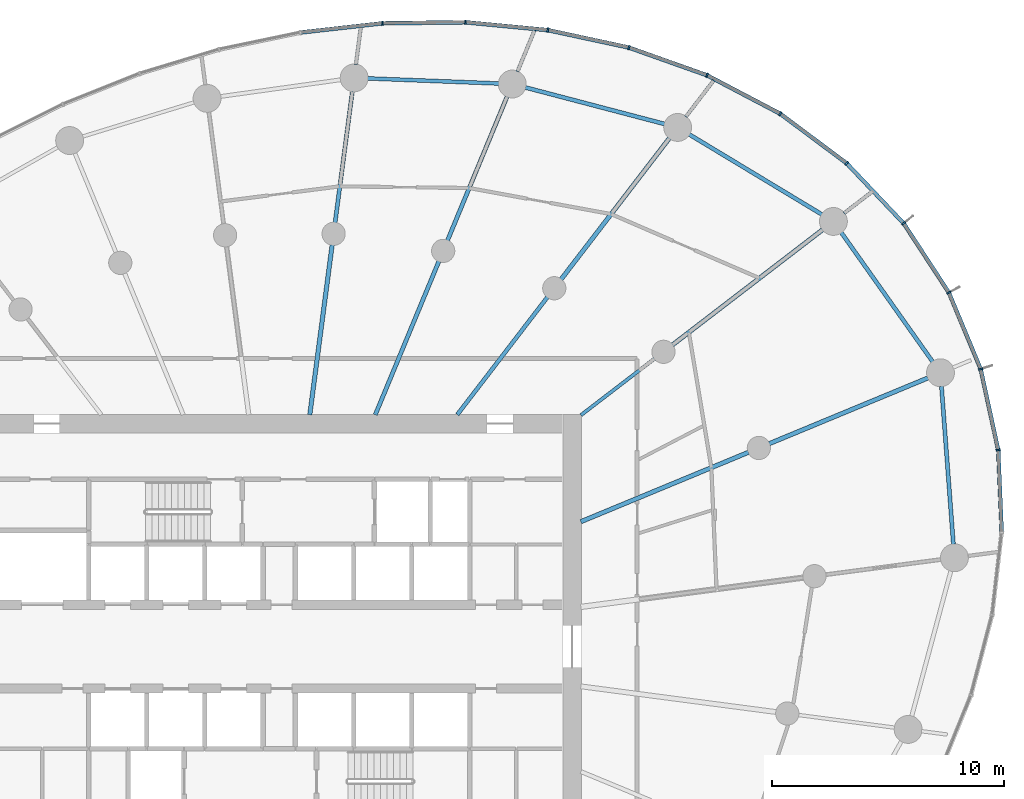
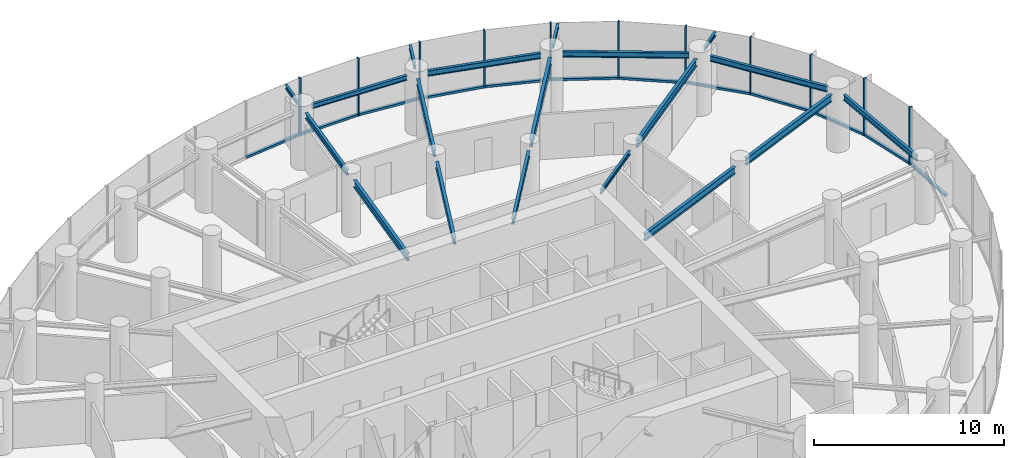
# One storey, part 7 of 17: 23 members, 19 beams, 3 elements without a shape of their own.
"""IFC4 building model written with IfcOpenShell, lengths in metres."""

from ifc_helpers import new_model, si_unit, direction, frame, origin, origin_2d, place, context, subcontext, project, spatial, rectangle, i_section, extrude, source, transform, mapped, material, layer, layer_set, material_profile, profile_set, type_object, element, aggregate, save


model = new_model("IFC4")

# Units and contexts
model_context = context("Model", 3, precision=1e-05, world=origin(), true_north=direction((0.0, 1.0)))
body_context = subcontext(model_context, "Body", "Model", "MODEL_VIEW")
ifc_project = project(units=[si_unit("LENGTHUNIT", "METRE"), si_unit("AREAUNIT", "SQUARE_METRE"), si_unit("VOLUMEUNIT", "CUBIC_METRE"), si_unit("PLANEANGLEUNIT", "RADIAN"), si_unit("MASSUNIT", "GRAM", prefix="KILO")], contexts=[model_context])

# Site, building, storey
site_placement = place(None, origin())
site = spatial("IfcSite", under=ifc_project, at=site_placement, CompositionType="ELEMENT")
building_placement = place(site_placement, origin())
building = spatial("IfcBuilding", under=site, at=building_placement, Name="Spindrift Exchange Tower", CompositionType="ELEMENT")
storey_placement = place(building_placement, frame((0.0, 0.0, 112.60009765625)))
storey = spatial("IfcBuildingStorey", under=building, at=storey_placement, Name="L26", CompositionType="ELEMENT", Elevation=112.60009765625)

# Beams
ifc_material_1 = material(Name="Steel Grade 300", Category="steel")
ifc_material_profile_1 = material_profile(ifc_material_1, i_section(OverallWidth=0.18994140625, OverallDepth=0.45703125, WebThickness=0.009033203125, FlangeThickness=0.014404296875, FilletRadius=0.013916015625, at=origin_2d()), Name="460UB74.6")
ifc_profile_set_1 = profile_set([ifc_material_profile_1], Name="Steel Grade 300")
beam_type_1 = type_object("IfcBeamType", Name="Floor Beam 460UB74.6 Steel Grade 300", PredefinedType="BEAM", material=ifc_profile_set_1)
shared_shape_1 = source(origin(), body_context, "Body", "SweptSolid", [
    extrude(i_section(OverallWidth=0.18994140625, OverallDepth=0.45703125, WebThickness=0.009033203125, FlangeThickness=0.014404296875, FilletRadius=0.013916015625, at=origin_2d()), origin(), (0.0, 0.0, 1.0), 7.808837890625),
])
beam_1_placement = place(storey_placement, frame((64.9814453125, 53.377197265625, 3.471435546875), z_axis=(0.92387965154, 0.382683145003, 0.0), x_axis=(-0.382683145003, 0.92387965154, 0.0)))
element("IfcBeam", 1, at=beam_1_placement, inside=storey, type_object=beam_type_1, Name="L26 radial beam R02A", PredefinedType="BEAM", context=body_context, shape_type="MappedRepresentation", body=[
    mapped(shared_shape_1, transform((0.0, 0.0, 0.0), scale=1.0)),
])
ifc_material_profile_2 = material_profile(ifc_material_1, i_section(OverallWidth=0.14599609375, OverallDepth=0.251953125, WebThickness=0.006103515625, FlangeThickness=0.008544921875, FilletRadius=0.011962890625, at=origin_2d()), Name="250UB31.4")
ifc_profile_set_2 = profile_set([ifc_material_profile_2], Name="Steel Grade 300")
beam_type_2 = type_object("IfcBeamType", Name="Floor Beam 250UB31.4 Steel Grade 300", PredefinedType="BEAM", material=ifc_profile_set_2)
shared_shape_2 = source(origin(), body_context, "Body", "SweptSolid", [
    extrude(i_section(OverallWidth=0.14599609375, OverallDepth=0.251953125, WebThickness=0.006103515625, FlangeThickness=0.008544921875, FilletRadius=0.011962890625, at=origin_2d()), origin(), (0.0, 0.0, 1.0), 3.99560546875),
])
beam_2_placement = place(storey_placement, frame((64.984130859375, 57.963134765625, 3.573974609375), z_axis=(0.793352561574, 0.608762443851, 0.0), x_axis=(-0.608762443851, 0.793352561574, 0.0)))
element("IfcBeam", 2, at=beam_2_placement, inside=storey, type_object=beam_type_2, Name="L26 radial beam R03A", PredefinedType="BEAM", context=body_context, shape_type="MappedRepresentation", body=[
    mapped(shared_shape_2, transform((0.0, 0.0, 0.0), scale=1.0)),
])
ifc_material_profile_3 = material_profile(ifc_material_1, i_section(OverallWidth=0.172119140625, OverallDepth=0.35888671875, WebThickness=0.008056640625, FlangeThickness=0.012939453125, FilletRadius=0.013916015625, at=origin_2d()), Name="360UB56.7")
ifc_profile_set_3 = profile_set([ifc_material_profile_3], Name="Steel Grade 300")
beam_type_3 = type_object("IfcBeamType", Name="Floor Beam 360UB56.7 Steel Grade 300", PredefinedType="BEAM", material=ifc_profile_set_3)
shared_shape_3 = source(origin(), body_context, "Body", "SweptSolid", [
    extrude(i_section(OverallWidth=0.172119140625, OverallDepth=0.35888671875, WebThickness=0.008056640625, FlangeThickness=0.012939453125, FilletRadius=0.013916015625, at=origin_2d()), origin(), (0.0, 0.0, 1.0), 6.37646484375),
])
beam_3_placement = place(storey_placement, frame((59.6611328125, 57.984130859375, 3.5205078125), z_axis=(0.608766669952, 0.793349318747, 0.0), x_axis=(-0.793349318747, 0.608766669952, 0.0)))
element("IfcBeam", 3, at=beam_3_placement, inside=storey, type_object=beam_type_3, Name="L26 radial beam R04A", PredefinedType="BEAM", context=body_context, shape_type="MappedRepresentation", body=[
    mapped(shared_shape_3, transform((0.0, 0.0, 0.0), scale=1.0)),
])
ifc_material_profile_4 = material_profile(ifc_material_1, i_section(OverallWidth=0.177978515625, OverallDepth=0.406005859375, WebThickness=0.0078125, FlangeThickness=0.0126953125, FilletRadius=0.013916015625, at=origin_2d()), Name="410UB59.7")
ifc_profile_set_4 = profile_set([ifc_material_profile_4], Name="Steel Grade 300")
beam_type_4 = type_object("IfcBeamType", Name="Floor Beam 410UB59.7 Steel Grade 300", PredefinedType="BEAM", material=ifc_profile_set_4)
shared_shape_4 = source(origin(), body_context, "Body", "SweptSolid", [
    extrude(i_section(OverallWidth=0.177978515625, OverallDepth=0.406005859375, WebThickness=0.0078125, FlangeThickness=0.0126953125, FilletRadius=0.013916015625, at=origin_2d()), origin(), (0.0, 0.0, 1.0), 7.150634765625),
])
beam_4_placement = place(storey_placement, frame((56.134521484375, 57.9814453125, 3.496826171875), z_axis=(0.382665393358, 0.923887004306, 0.0), x_axis=(-0.923887004306, 0.382665393358, 0.0)))
element("IfcBeam", 4, at=beam_4_placement, inside=storey, type_object=beam_type_4, Name="L26 radial beam R05A", PredefinedType="BEAM", context=body_context, shape_type="MappedRepresentation", body=[
    mapped(shared_shape_4, transform((0.0, 0.0, 0.0), scale=1.0)),
])
shared_shape_5 = source(origin(), body_context, "Body", "SweptSolid", [
    extrude(i_section(OverallWidth=0.18994140625, OverallDepth=0.45703125, WebThickness=0.009033203125, FlangeThickness=0.014404296875, FilletRadius=0.013916015625, at=origin_2d()), origin(), (0.0, 0.0, 1.0), 7.374267578125),
])
beam_5_placement = place(storey_placement, frame((53.31396484375, 57.980224609375, 3.471435546875), z_axis=(0.130539295622, 0.99144313619, 0.0), x_axis=(-0.99144313619, 0.130539295622, 0.0)))
element("IfcBeam", 5, at=beam_5_placement, inside=storey, type_object=beam_type_1, Name="L26 radial beam R06A", PredefinedType="BEAM", context=body_context, shape_type="MappedRepresentation", body=[
    mapped(shared_shape_5, transform((0.0, 0.0, 0.0), scale=1.0)),
])
shared_shape_6 = source(origin(), body_context, "Body", "SweptSolid", [
    extrude(i_section(OverallWidth=0.18994140625, OverallDepth=0.45703125, WebThickness=0.009033203125, FlangeThickness=0.014404296875, FilletRadius=0.013916015625, at=origin_2d()), origin(), (0.0, 0.0, 1.0), 7.400146484375),
])
beam_6_placement = place(storey_placement, frame((73.082763671875, 56.73291015625, 3.471435546875), z_axis=(0.923886957755, 0.382665505749, 0.0), x_axis=(-0.382665505749, 0.923886957755, 0.0)))
element("IfcBeam", 6, at=beam_6_placement, inside=storey, type_object=beam_type_1, Name="L26 radial beam R02B", PredefinedType="BEAM", context=body_context, shape_type="MappedRepresentation", body=[
    mapped(shared_shape_6, transform((0.0, 0.0, 0.0), scale=1.0)),
])
shared_shape_7 = source(origin(), body_context, "Body", "SweptSolid", [
    extrude(i_section(OverallWidth=0.18994140625, OverallDepth=0.45703125, WebThickness=0.009033203125, FlangeThickness=0.014404296875, FilletRadius=0.013916015625, at=origin_2d()), origin(), (0.0, 0.0, 1.0), 8.158447265625),
])
beam_7_placement = place(storey_placement, frame((68.91552734375, 60.979736328125, 3.471435546875), z_axis=(0.793358732539, 0.608754401631, 0.0), x_axis=(-0.608754401631, 0.793358732539, 0.0)))
element("IfcBeam", 7, at=beam_7_placement, inside=storey, type_object=beam_type_1, Name="L26 radial beam R03B", PredefinedType="BEAM", context=body_context, shape_type="MappedRepresentation", body=[
    mapped(shared_shape_7, transform((0.0, 0.0, 0.0), scale=1.0)),
])
shared_shape_8 = source(origin(), body_context, "Body", "SweptSolid", [
    extrude(i_section(OverallWidth=0.18994140625, OverallDepth=0.45703125, WebThickness=0.009033203125, FlangeThickness=0.014404296875, FilletRadius=0.013916015625, at=origin_2d()), origin(), (0.0, 0.0, 1.0), 7.663818359375),
])
beam_8_placement = place(storey_placement, frame((64.127197265625, 63.8046875, 3.471435546875), z_axis=(0.608771227503, 0.793345821546, 0.0), x_axis=(-0.793345821546, 0.608771227503, 0.0)))
element("IfcBeam", 8, at=beam_8_placement, inside=storey, type_object=beam_type_1, Name="L26 radial beam R04B", PredefinedType="BEAM", context=body_context, shape_type="MappedRepresentation", body=[
    mapped(shared_shape_8, transform((0.0, 0.0, 0.0), scale=1.0)),
])
shared_shape_9 = source(origin(), body_context, "Body", "SweptSolid", [
    extrude(i_section(OverallWidth=0.177978515625, OverallDepth=0.406005859375, WebThickness=0.0078125, FlangeThickness=0.0126953125, FilletRadius=0.013916015625, at=origin_2d()), origin(), (0.0, 0.0, 1.0), 6.71240234375),
])
beam_9_placement = place(storey_placement, frame((59.23828125, 65.474853515625, 3.496826171875), z_axis=(0.382669812754, 0.923885173821, 0.0), x_axis=(-0.923885173821, 0.382669812754, 0.0)))
element("IfcBeam", 9, at=beam_9_placement, inside=storey, type_object=beam_type_4, Name="L26 radial beam R05B", PredefinedType="BEAM", context=body_context, shape_type="MappedRepresentation", body=[
    mapped(shared_shape_9, transform((0.0, 0.0, 0.0), scale=1.0)),
])
shared_shape_10 = source(origin(), body_context, "Body", "SweptSolid", [
    extrude(i_section(OverallWidth=0.172119140625, OverallDepth=0.35888671875, WebThickness=0.008056640625, FlangeThickness=0.012939453125, FilletRadius=0.013916015625, at=origin_2d()), origin(), (0.0, 0.0, 1.0), 5.70751953125),
])
beam_10_placement = place(storey_placement, frame((54.40185546875, 66.2431640625, 3.5205078125), z_axis=(0.130507624881, 0.991447305634, 0.0), x_axis=(-0.991447305634, 0.130507624881, 0.0)))
element("IfcBeam", 10, at=beam_10_placement, inside=storey, type_object=beam_type_3, Name="L26 radial beam R06B", PredefinedType="BEAM", context=body_context, shape_type="MappedRepresentation", body=[
    mapped(shared_shape_10, transform((0.0, 0.0, 0.0), scale=1.0)),
])
ifc_material_profile_5 = material_profile(ifc_material_1, i_section(OverallWidth=0.172119140625, OverallDepth=0.35888671875, WebThickness=0.008056640625, FlangeThickness=0.012939453125, FilletRadius=0.013916015625, at=origin_2d()), Name="360UB56.7")
ifc_profile_set_5 = profile_set([ifc_material_profile_5], Name="Steel Grade 300")
beam_type_5 = type_object("IfcBeamType", Name="Edge Beam 360UB56.7 Steel Grade 300", PredefinedType="SPANDREL", material=ifc_profile_set_5)
shared_shape_11 = source(origin(), body_context, "Body", "SweptSolid", [
    extrude(i_section(OverallWidth=0.172119140625, OverallDepth=0.35888671875, WebThickness=0.008056640625, FlangeThickness=0.012939453125, FilletRadius=0.013916015625, at=origin_2d()), origin(), (0.0, 0.0, 1.0), 6.82373046875),
])
beam_11_placement = place(storey_placement, frame((81.0126953125, 52.40380859375, 3.5205078125), z_axis=(-0.075276463877, 0.997162701863, 0.0), x_axis=(-0.997162701863, -0.075276463877, 0.0)))
element("IfcBeam", 11, at=beam_11_placement, inside=storey, type_object=beam_type_5, Name="L26 edge beam E01", PredefinedType="SPANDREL", context=body_context, shape_type="MappedRepresentation", body=[
    mapped(shared_shape_11, transform((0.0, 0.0, 0.0), scale=1.0)),
])
shared_shape_12 = source(origin(), body_context, "Body", "SweptSolid", [
    extrude(i_section(OverallWidth=0.172119140625, OverallDepth=0.35888671875, WebThickness=0.008056640625, FlangeThickness=0.012939453125, FilletRadius=0.013916015625, at=origin_2d()), origin(), (0.0, 0.0, 1.0), 6.81787109375),
])
beam_12_placement = place(storey_placement, frame((80.12060546875, 60.260009765625, 3.5205078125), z_axis=(-0.577526426198, 0.816371990604, 0.0), x_axis=(-0.816371990604, -0.577526426198, 0.0)))
element("IfcBeam", 12, at=beam_12_placement, inside=storey, type_object=beam_type_5, Name="L26 edge beam E02", PredefinedType="SPANDREL", context=body_context, shape_type="MappedRepresentation", body=[
    mapped(shared_shape_12, transform((0.0, 0.0, 0.0), scale=1.0)),
])
shared_shape_13 = source(origin(), body_context, "Body", "SweptSolid", [
    extrude(i_section(OverallWidth=0.172119140625, OverallDepth=0.35888671875, WebThickness=0.008056640625, FlangeThickness=0.012939453125, FilletRadius=0.013916015625, at=origin_2d()), origin(), (0.0, 0.0, 1.0), 6.668701171875),
])
beam_13_placement = place(storey_placement, frame((75.3515625, 66.59912109375, 3.5205078125), z_axis=(-0.856133207479, 0.516755194508, 0.0), x_axis=(-0.516755194508, -0.856133207479, 0.0)))
element("IfcBeam", 13, at=beam_13_placement, inside=storey, type_object=beam_type_5, Name="L26 edge beam E03", PredefinedType="SPANDREL", context=body_context, shape_type="MappedRepresentation", body=[
    mapped(shared_shape_13, transform((0.0, 0.0, 0.0), scale=1.0)),
])
shared_shape_14 = source(origin(), body_context, "Body", "SweptSolid", [
    extrude(i_section(OverallWidth=0.172119140625, OverallDepth=0.35888671875, WebThickness=0.008056640625, FlangeThickness=0.012939453125, FilletRadius=0.013916015625, at=origin_2d()), origin(), (0.0, 0.0, 1.0), 6.197509765625),
])
beam_14_placement = place(storey_placement, frame((68.584716796875, 70.491943359375, 3.5205078125), z_axis=(-0.967254420813, 0.253808757567, 0.0), x_axis=(-0.253808757567, -0.967254420813, 0.0)))
element("IfcBeam", 14, at=beam_14_placement, inside=storey, type_object=beam_type_5, Name="L26 edge beam E04", PredefinedType="SPANDREL", context=body_context, shape_type="MappedRepresentation", body=[
    mapped(shared_shape_14, transform((0.0, 0.0, 0.0), scale=1.0)),
])
ifc_material_profile_6 = material_profile(ifc_material_1, i_section(OverallWidth=0.1650390625, OverallDepth=0.303955078125, WebThickness=0.006103515625, FlangeThickness=0.01025390625, FilletRadius=0.011474609375, at=origin_2d()), Name="310UB40.4")
ifc_profile_set_6 = profile_set([ifc_material_profile_6], Name="Steel Grade 300")
beam_type_6 = type_object("IfcBeamType", Name="Edge Beam 310UB40.4 Steel Grade 300", PredefinedType="SPANDREL", material=ifc_profile_set_6)
shared_shape_15 = source(origin(), body_context, "Body", "SweptSolid", [
    extrude(i_section(OverallWidth=0.1650390625, OverallDepth=0.303955078125, WebThickness=0.006103515625, FlangeThickness=0.01025390625, FilletRadius=0.011474609375, at=origin_2d()), origin(), (0.0, 0.0, 1.0), 5.65185546875),
])
beam_15_placement = place(storey_placement, frame((61.449462890625, 72.234619140625, 3.5478515625), z_axis=(-0.99924397539, 0.038877726865, 0.0), x_axis=(-0.038877726865, -0.99924397539, 0.0)))
element("IfcBeam", 15, at=beam_15_placement, inside=storey, type_object=beam_type_6, Name="L26 edge beam E05", PredefinedType="SPANDREL", context=body_context, shape_type="MappedRepresentation", body=[
    mapped(shared_shape_15, transform((0.0, 0.0, 0.0), scale=1.0)),
])
ifc_material_profile_7 = material_profile(ifc_material_1, i_section(OverallWidth=0.14599609375, OverallDepth=0.251953125, WebThickness=0.006103515625, FlangeThickness=0.008544921875, FilletRadius=0.011962890625, at=origin_2d()), Name="250UB31.4")
ifc_profile_set_7 = profile_set([ifc_material_profile_7], Name="Steel Grade 300")
beam_type_7 = type_object("IfcBeamType", Name="Cantilever Beam 250UB31.4 Steel Grade 300", PredefinedType="BEAM", material=ifc_profile_set_7)
shared_shape_16 = source(origin(), body_context, "Body", "SweptSolid", [
    extrude(i_section(OverallWidth=0.14599609375, OverallDepth=0.251953125, WebThickness=0.006103515625, FlangeThickness=0.008544921875, FilletRadius=0.011962890625, at=origin_2d()), origin(), (0.0, 0.0, 1.0), 1.481201171875),
])
beam_16_placement = place(storey_placement, frame((76.308349609375, 66.652587890625, 3.573974609375), z_axis=(0.793425939582, 0.608666804087, 0.0), x_axis=(-0.608666804087, 0.793425939582, 0.0)))
element("IfcBeam", 16, at=beam_16_placement, inside=storey, type_object=beam_type_7, Name="L26 cantilever beam R03T", PredefinedType="BEAM", context=body_context, shape_type="MappedRepresentation", body=[
    mapped(shared_shape_16, transform((0.0, 0.0, 0.0), scale=1.0)),
])
shared_shape_17 = source(origin(), body_context, "Body", "SweptSolid", [
    extrude(i_section(OverallWidth=0.14599609375, OverallDepth=0.251953125, WebThickness=0.006103515625, FlangeThickness=0.008544921875, FilletRadius=0.011962890625, at=origin_2d()), origin(), (0.0, 0.0, 1.0), 1.96484375),
])
beam_17_placement = place(storey_placement, frame((69.498779296875, 70.804931640625, 3.573974609375), z_axis=(0.608809692833, 0.793316303824, 0.0), x_axis=(-0.793316303824, 0.608809692833, 0.0)))
element("IfcBeam", 17, at=beam_17_placement, inside=storey, type_object=beam_type_7, Name="L26 cantilever beam R04T", PredefinedType="BEAM", context=body_context, shape_type="MappedRepresentation", body=[
    mapped(shared_shape_17, transform((0.0, 0.0, 0.0), scale=1.0)),
])
shared_shape_18 = source(origin(), body_context, "Body", "SweptSolid", [
    extrude(i_section(OverallWidth=0.14599609375, OverallDepth=0.251953125, WebThickness=0.006103515625, FlangeThickness=0.008544921875, FilletRadius=0.011962890625, at=origin_2d()), origin(), (0.0, 0.0, 1.0), 1.93408203125),
])
beam_18_placement = place(storey_placement, frame((62.2509765625, 72.748046875, 3.573974609375), z_axis=(0.382723397636, 0.923862977341, 0.0), x_axis=(-0.923862977341, 0.382723397636, 0.0)))
element("IfcBeam", 18, at=beam_18_placement, inside=storey, type_object=beam_type_7, Name="L26 cantilever beam R05T", PredefinedType="BEAM", context=body_context, shape_type="MappedRepresentation", body=[
    mapped(shared_shape_18, transform((0.0, 0.0, 0.0), scale=1.0)),
])
shared_shape_19 = source(origin(), body_context, "Body", "SweptSolid", [
    extrude(i_section(OverallWidth=0.14599609375, OverallDepth=0.251953125, WebThickness=0.006103515625, FlangeThickness=0.008544921875, FilletRadius=0.011962890625, at=origin_2d()), origin(), (0.0, 0.0, 1.0), 1.60791015625),
])
beam_19_placement = place(storey_placement, frame((55.298095703125, 73.0517578125, 3.573974609375), z_axis=(0.130572336197, 0.991438785312, 0.0), x_axis=(-0.991438785312, 0.130572336197, 0.0)))
element("IfcBeam", 19, at=beam_19_placement, inside=storey, type_object=beam_type_7, Name="L26 cantilever beam R06T", PredefinedType="BEAM", context=body_context, shape_type="MappedRepresentation", body=[
    mapped(shared_shape_19, transform((0.0, 0.0, 0.0), scale=1.0)),
])

# Curtain wall, members
ifc_material_2 = material(Name="Fritted laminated glass with bronze frame", Category="glass")
ifc_layer = layer(ifc_material_2, 0.18994140625)
ifc_layer_set = layer_set([ifc_layer], Name="ZONE 2 BRONZE FRITTED WALL")
curtain_wall_type = type_object("IfcCurtainWallType", Name="ZONE 2 BRONZE FRITTED WALL", PredefinedType="NOTDEFINED", material=ifc_layer_set)
curtain_wall_1_placement = place(storey_placement, origin())
curtain_wall_1 = element("IfcCurtainWall", 20, at=curtain_wall_1_placement, inside=storey, type_object=curtain_wall_type, Name="L26 Zone 2 Bronze Fritted Wall run 1", PredefinedType="NOTDEFINED")
ifc_material_3 = material(Name="Bronze anodised aluminium", Category="aluminium")
ifc_material_profile_8 = material_profile(ifc_material_3, rectangle(XDim=0.074951171875, YDim=0.18994140625, at=origin_2d()), Name="ZONE 2 BRONZE FRITTED WALL MULLION 75X190")
ifc_profile_set_8 = profile_set([ifc_material_profile_8], Name="Bronze anodised aluminium")
member_type_1 = type_object("IfcMemberType", Name="ZONE 2 BRONZE FRITTED WALL MULLION 75X190", PredefinedType="MULLION", material=ifc_profile_set_8)
shared_shape_20 = source(origin(), body_context, "Body", "SweptSolid", [
    extrude(rectangle(XDim=0.074951171875, YDim=0.18994140625, at=origin_2d()), origin(), (0.0, 0.0, 1.0), 3.699951171875),
])
member_1_placement = place(storey_placement, frame((80.818359375, 63.23486328125, 0.0), z_axis=(0.0, 0.0, 1.0), x_axis=(-0.467366094992, 0.884063873966, 0.0)))
member_1 = element("IfcMember", 21, at=member_1_placement, type_object=member_type_1, Name="L26 mullion CW-2.1", PredefinedType="MULLION", context=body_context, shape_type="MappedRepresentation", body=[
    mapped(shared_shape_20, transform((0.0, 0.0, 0.0), scale=1.0)),
])
member_2_placement = place(storey_placement, frame((78.870361328125, 66.218017578125, 0.0), z_axis=(0.0, 0.0, 1.0), x_axis=(-0.620055008158, 0.784558338722, 0.0)))
member_2 = element("IfcMember", 22, at=member_2_placement, type_object=member_type_1, Name="L26 mullion CW-2.2", PredefinedType="MULLION", context=body_context, shape_type="MappedRepresentation", body=[
    mapped(shared_shape_20, transform((0.0, 0.0, 0.0), scale=1.0)),
])
member_3_placement = place(storey_placement, frame((76.41796875, 68.802734375, 0.0), z_axis=(0.0, 0.0, 1.0), x_axis=(-0.747656783833, 0.664085336074, 0.0)))
member_3 = element("IfcMember", 23, at=member_3_placement, type_object=member_type_1, Name="L26 mullion CW-2.3", PredefinedType="MULLION", context=body_context, shape_type="MappedRepresentation", body=[
    mapped(shared_shape_20, transform((0.0, 0.0, 0.0), scale=1.0)),
])
member_4_placement = place(storey_placement, frame((73.561279296875, 70.93359375, 0.0), z_axis=(0.0, 0.0, 1.0), x_axis=(-0.846034137684, 0.533128725425, 0.0)))
member_4 = element("IfcMember", 24, at=member_4_placement, type_object=member_type_1, Name="L26 mullion CW-2.4", PredefinedType="MULLION", context=body_context, shape_type="MappedRepresentation", body=[
    mapped(shared_shape_20, transform((0.0, 0.0, 0.0), scale=1.0)),
])
member_5_placement = place(storey_placement, frame((70.406005859375, 72.591064453125, 0.0), z_axis=(0.0, 0.0, 1.0), x_axis=(-0.916182583821, 0.400761117254, 0.0)))
member_5 = element("IfcMember", 25, at=member_5_placement, type_object=member_type_1, Name="L26 mullion CW-2.5", PredefinedType="MULLION", context=body_context, shape_type="MappedRepresentation", body=[
    mapped(shared_shape_20, transform((0.0, 0.0, 0.0), scale=1.0)),
])
member_6_placement = place(storey_placement, frame((67.046142578125, 73.783447265625, 0.0), z_axis=(0.0, 0.0, 1.0), x_axis=(-0.962012611431, 0.273005009931, 0.0)))
member_6 = element("IfcMember", 26, at=member_6_placement, type_object=member_type_1, Name="L26 mullion CW-2.6", PredefinedType="MULLION", context=body_context, shape_type="MappedRepresentation", body=[
    mapped(shared_shape_20, transform((0.0, 0.0, 0.0), scale=1.0)),
])

curtain_wall_2_placement = place(storey_placement, origin())
curtain_wall_2 = element("IfcCurtainWall", 27, at=curtain_wall_2_placement, inside=storey, type_object=curtain_wall_type, Name="L26 Zone 2 Bronze Fritted Wall run 2", PredefinedType="NOTDEFINED")
member_7_placement = place(storey_placement, frame((63.560546875, 74.53369140625, 0.0), z_axis=(0.0, 0.0, 1.0), x_axis=(-0.988247973896, 0.15285922311, 0.0)))
member_7 = element("IfcMember", 28, at=member_7_placement, type_object=member_type_1, Name="L26 mullion CW-2.7", PredefinedType="MULLION", context=body_context, shape_type="MappedRepresentation", body=[
    mapped(shared_shape_20, transform((0.0, 0.0, 0.0), scale=1.0)),
])
member_8_placement = place(storey_placement, frame((60.010498046875, 74.87158203125, 0.0), z_axis=(0.0, 0.0, 1.0), x_axis=(-0.999148073179, 0.041268969742, 0.0)))
member_8 = element("IfcMember", 29, at=member_8_placement, type_object=member_type_1, Name="L26 mullion CW-2.8", PredefinedType="MULLION", context=body_context, shape_type="MappedRepresentation", body=[
    mapped(shared_shape_20, transform((0.0, 0.0, 0.0), scale=1.0)),
])
member_9_placement = place(storey_placement, frame((56.444580078125, 74.82763671875, 0.0), z_axis=(0.0, 0.0, 1.0), x_axis=(-0.998074232804, -0.062030845663, 0.0)))
member_9 = element("IfcMember", 30, at=member_9_placement, type_object=member_type_1, Name="L26 mullion CW-2.9", PredefinedType="MULLION", context=body_context, shape_type="MappedRepresentation", body=[
    mapped(shared_shape_20, transform((0.0, 0.0, 0.0), scale=1.0)),
])

curtain_wall_3_placement = place(storey_placement, origin())
curtain_wall_3 = element("IfcCurtainWall", 31, at=curtain_wall_3_placement, inside=storey, type_object=curtain_wall_type, Name="L26 Zone 2 Bronze Fritted Wall run 9", PredefinedType="NOTDEFINED")
member_10_placement = place(storey_placement, frame((82.94140625, 56.463134765625, 0.0), z_axis=(0.0, 0.0, 1.0), x_axis=(-0.127739095244, 0.99180780575, 0.0)))
member_10 = element("IfcMember", 32, at=member_10_placement, type_object=member_type_1, Name="L26 mullion CW-2.50", PredefinedType="MULLION", context=body_context, shape_type="MappedRepresentation", body=[
    mapped(shared_shape_20, transform((0.0, 0.0, 0.0), scale=1.0)),
])
member_11_placement = place(storey_placement, frame((82.1865234375, 59.9453125, 0.0), z_axis=(0.0, 0.0, 1.0), x_axis=(-0.29915281084, 0.954205216799, 0.0)))
member_11 = element("IfcMember", 33, at=member_11_placement, type_object=member_type_1, Name="L26 mullion CW-2.51", PredefinedType="MULLION", context=body_context, shape_type="MappedRepresentation", body=[
    mapped(shared_shape_20, transform((0.0, 0.0, 0.0), scale=1.0)),
])

# Member
ifc_material_profile_9 = material_profile(ifc_material_3, rectangle(XDim=0.169921875, YDim=0.139892578125, at=origin_2d()), Name="ZONE 2 BRONZE FRITTED WALL TRANSOM 170X140")
ifc_profile_set_9 = profile_set([ifc_material_profile_9], Name="Bronze anodised aluminium")
member_type_2 = type_object("IfcMemberType", Name="ZONE 2 BRONZE FRITTED WALL TRANSOM 170X140", PredefinedType="USERDEFINED", material=ifc_profile_set_9)
shared_shape_21 = source(origin(), body_context, "Body", "SweptSolid", [
    extrude(rectangle(XDim=0.169921875, YDim=0.139892578125, at=origin_2d()), origin(), (0.0, 0.0, 1.0), 3.4912109375),
])
member_12_placement = place(storey_placement, frame((59.97314453125, 74.87109375, 0.06982421875), z_axis=(-0.999924258367, -0.012307620776, 0.0), x_axis=(0.012307620776, -0.999924258367, 0.0)))
member_12 = element("IfcMember", 34, at=member_12_placement, type_object=member_type_2, Name="L26 transom CW-2.8", ObjectType="TRANSOM", PredefinedType="USERDEFINED", context=body_context, shape_type="MappedRepresentation", body=[
    mapped(shared_shape_21, transform((0.0, 0.0, 0.0), scale=1.0)),
])

shared_shape_22 = source(origin(), body_context, "Body", "SweptSolid", [
    extrude(rectangle(XDim=0.169921875, YDim=0.139892578125, at=origin_2d()), origin(), (0.0, 0.0, 1.0), 3.490478515625),
])
member_13_placement = place(storey_placement, frame((67.009521484375, 73.791259765625, 0.06982421875), z_axis=(-0.977602375145, 0.21046043835, 0.0), x_axis=(-0.21046043835, -0.977602375145, 0.0)))
member_13 = element("IfcMember", 35, at=member_13_placement, type_object=member_type_2, Name="L26 transom CW-2.6", ObjectType="TRANSOM", PredefinedType="USERDEFINED", context=body_context, shape_type="MappedRepresentation", body=[
    mapped(shared_shape_22, transform((0.0, 0.0, 0.0), scale=1.0)),
])

shared_shape_23 = source(origin(), body_context, "Body", "SweptSolid", [
    extrude(rectangle(XDim=0.169921875, YDim=0.139892578125, at=origin_2d()), origin(), (0.0, 0.0, 1.0), 3.487548828125),
])
member_14_placement = place(storey_placement, frame((82.172119140625, 59.97998046875, 0.06982421875), z_axis=(-0.384028784682, 0.923321121028, 0.0), x_axis=(-0.923321121028, -0.384028784682, 0.0)))
member_14 = element("IfcMember", 36, at=member_14_placement, type_object=member_type_2, Name="L26 transom CW-2.51", ObjectType="TRANSOM", PredefinedType="USERDEFINED", context=body_context, shape_type="MappedRepresentation", body=[
    mapped(shared_shape_23, transform((0.0, 0.0, 0.0), scale=1.0)),
])

shared_shape_24 = source(origin(), body_context, "Body", "SweptSolid", [
    extrude(rectangle(XDim=0.169921875, YDim=0.139892578125, at=origin_2d()), origin(), (0.0, 0.0, 1.0), 3.48779296875),
])
member_15_placement = place(storey_placement, frame((80.7978515625, 63.266357421875, 0.06982421875), z_axis=(-0.546775881754, 0.837279006742, 0.0), x_axis=(-0.837279006742, -0.546775881754, 0.0)))
member_15 = element("IfcMember", 37, at=member_15_placement, type_object=member_type_2, Name="L26 transom CW-2.1", ObjectType="TRANSOM", PredefinedType="USERDEFINED", context=body_context, shape_type="MappedRepresentation", body=[
    mapped(shared_shape_24, transform((0.0, 0.0, 0.0), scale=1.0)),
])

shared_shape_25 = source(origin(), body_context, "Body", "SweptSolid", [
    extrude(rectangle(XDim=0.169921875, YDim=0.139892578125, at=origin_2d()), origin(), (0.0, 0.0, 1.0), 3.489501953125),
])
member_16_placement = place(storey_placement, frame((73.5283203125, 70.950927734375, 0.06982421875), z_axis=(-0.885277652664, 0.465062874991, 0.0), x_axis=(-0.465062874991, -0.885277652664, 0.0)))
member_16 = element("IfcMember", 38, at=member_16_placement, type_object=member_type_2, Name="L26 transom CW-2.4", ObjectType="TRANSOM", PredefinedType="USERDEFINED", context=body_context, shape_type="MappedRepresentation", body=[
    mapped(shared_shape_25, transform((0.0, 0.0, 0.0), scale=1.0)),
])

shared_shape_26 = source(origin(), body_context, "Body", "SweptSolid", [
    extrude(rectangle(XDim=0.169921875, YDim=0.139892578125, at=origin_2d()), origin(), (0.0, 0.0, 1.0), 3.491455078125),
])
member_17_placement = place(storey_placement, frame((56.407470703125, 74.823486328125, 0.06982421875), z_axis=(-0.993753435713, -0.111597979412, 0.0), x_axis=(0.111597979412, -0.993753435713, 0.0)))
member_17 = element("IfcMember", 39, at=member_17_placement, type_object=member_type_2, Name="L26 transom CW-2.9", ObjectType="TRANSOM", PredefinedType="USERDEFINED", context=body_context, shape_type="MappedRepresentation", body=[
    mapped(shared_shape_26, transform((0.0, 0.0, 0.0), scale=1.0)),
])

shared_shape_27 = source(origin(), body_context, "Body", "SweptSolid", [
    extrude(rectangle(XDim=0.169921875, YDim=0.139892578125, at=origin_2d()), origin(), (0.0, 0.0, 1.0), 3.490966796875),
])
member_18_placement = place(storey_placement, frame((63.523193359375, 74.537353515625, 0.06982421875), z_axis=(-0.995500185966, 0.09475958918, 0.0), x_axis=(-0.09475958918, -0.995500185966, 0.0)))
member_18 = element("IfcMember", 40, at=member_18_placement, type_object=member_type_2, Name="L26 transom CW-2.7", ObjectType="TRANSOM", PredefinedType="USERDEFINED", context=body_context, shape_type="MappedRepresentation", body=[
    mapped(shared_shape_27, transform((0.0, 0.0, 0.0), scale=1.0)),
])

aggregate(curtain_wall_2, [member_7, member_18, member_8, member_12, member_9, member_17])

shared_shape_28 = source(origin(), body_context, "Body", "SweptSolid", [
    extrude(rectangle(XDim=0.169921875, YDim=0.139892578125, at=origin_2d()), origin(), (0.0, 0.0, 1.0), 3.488525390625),
])
member_19_placement = place(storey_placement, frame((83.091796875, 52.940185546875, 0.06982421875), z_axis=(-0.042690102329, 0.99908836204, 0.0), x_axis=(-0.99908836204, -0.042690102329, 0.0)))
member_19 = element("IfcMember", 41, at=member_19_placement, type_object=member_type_2, Name="L26 transom CW-2.49", ObjectType="TRANSOM", PredefinedType="USERDEFINED", context=body_context, shape_type="MappedRepresentation", body=[
    mapped(shared_shape_28, transform((0.0, 0.0, 0.0), scale=1.0)),
])

shared_shape_29 = source(origin(), body_context, "Body", "SweptSolid", [
    extrude(rectangle(XDim=0.169921875, YDim=0.139892578125, at=origin_2d()), origin(), (0.0, 0.0, 1.0), 3.488037109375),
])
member_20_placement = place(storey_placement, frame((78.844482421875, 66.2451171875, 0.06982421875), z_axis=(-0.688315213727, 0.725411722094, 0.0), x_axis=(-0.725411722094, -0.688315213727, 0.0)))
member_20 = element("IfcMember", 42, at=member_20_placement, type_object=member_type_2, Name="L26 transom CW-2.2", ObjectType="TRANSOM", PredefinedType="USERDEFINED", context=body_context, shape_type="MappedRepresentation", body=[
    mapped(shared_shape_29, transform((0.0, 0.0, 0.0), scale=1.0)),
])

member_21_placement = place(storey_placement, frame((82.933349609375, 56.499755859375, 0.06982421875), z_axis=(-0.211865882539, 0.977298750544, 0.0), x_axis=(-0.977298750544, -0.211865882539, 0.0)))
member_21 = element("IfcMember", 43, at=member_21_placement, type_object=member_type_2, Name="L26 transom CW-2.50", ObjectType="TRANSOM", PredefinedType="USERDEFINED", context=body_context, shape_type="MappedRepresentation", body=[
    mapped(shared_shape_29, transform((0.0, 0.0, 0.0), scale=1.0)),
])

aggregate(curtain_wall_3, [member_19, member_10, member_21, member_11, member_14])

shared_shape_30 = source(origin(), body_context, "Body", "SweptSolid", [
    extrude(rectangle(XDim=0.169921875, YDim=0.139892578125, at=origin_2d()), origin(), (0.0, 0.0, 1.0), 3.48876953125),
])
member_22_placement = place(storey_placement, frame((76.387939453125, 68.8251953125, 0.06982421875), z_axis=(-0.801559259012, 0.597915340405, 0.0), x_axis=(-0.597915340405, -0.801559259012, 0.0)))
member_22 = element("IfcMember", 44, at=member_22_placement, type_object=member_type_2, Name="L26 transom CW-2.3", ObjectType="TRANSOM", PredefinedType="USERDEFINED", context=body_context, shape_type="MappedRepresentation", body=[
    mapped(shared_shape_30, transform((0.0, 0.0, 0.0), scale=1.0)),
])

shared_shape_31 = source(origin(), body_context, "Body", "SweptSolid", [
    extrude(rectangle(XDim=0.169921875, YDim=0.139892578125, at=origin_2d()), origin(), (0.0, 0.0, 1.0), 3.489990234375),
])
member_23_placement = place(storey_placement, frame((70.37060546875, 72.603759765625, 0.06982421875), z_axis=(-0.942436279449, 0.334385793925, 0.0), x_axis=(-0.334385793925, -0.942436279449, 0.0)))
member_23 = element("IfcMember", 45, at=member_23_placement, type_object=member_type_2, Name="L26 transom CW-2.5", ObjectType="TRANSOM", PredefinedType="USERDEFINED", context=body_context, shape_type="MappedRepresentation", body=[
    mapped(shared_shape_31, transform((0.0, 0.0, 0.0), scale=1.0)),
])

aggregate(curtain_wall_1, [member_1, member_15, member_2, member_20, member_3, member_22, member_4, member_16, member_5, member_23, member_6, member_13])

save(model, "model.ifc")
